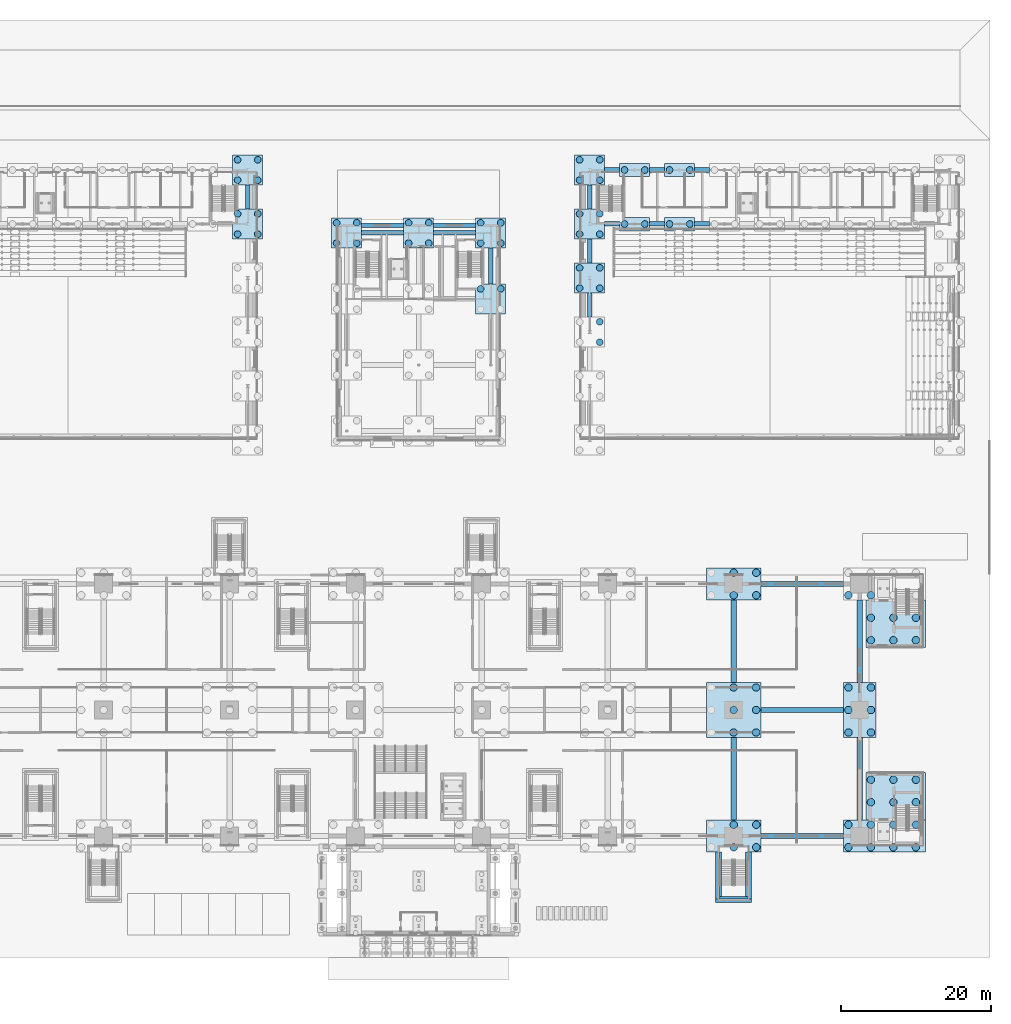
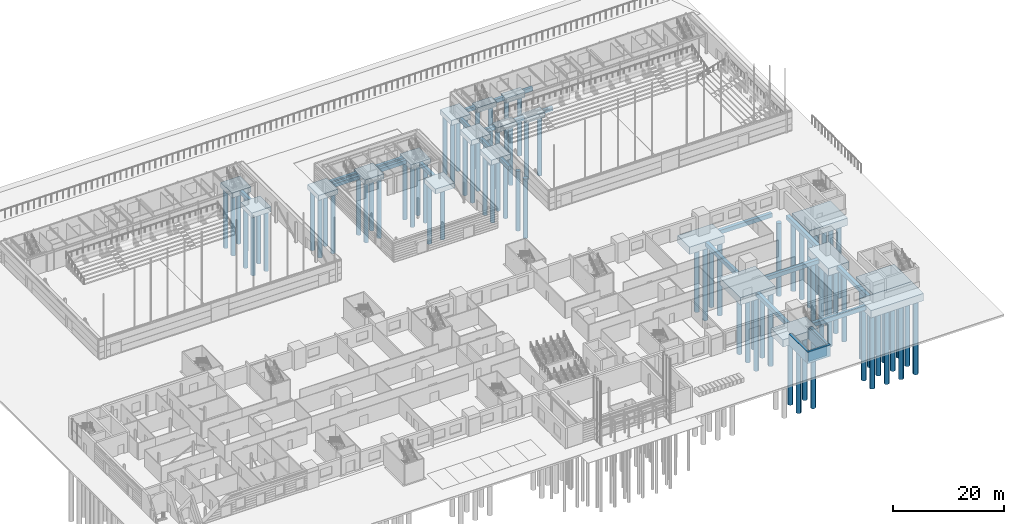
# One storey, part 6 of 139: 86 piles, 48 footings.
"""IFC4 building model written with IfcOpenShell, lengths in metres."""

from ifc_helpers import new_model, si_unit, direction, frame, origin, origin_2d, place, context, subcontext, project, spatial, polyline, rectangle, circle, outline, extrude, material, layer, layer_set, material_profile, profile_set, type_object, element, save


model = new_model("IFC4")

# Units and contexts
model_context = context("Model", 3, precision=1e-05, world=origin(), true_north=direction((0.0, 1.0)))
body_context = subcontext(model_context, "Body", "Model", "MODEL_VIEW")
ifc_project = project(units=[si_unit("LENGTHUNIT", "METRE"), si_unit("AREAUNIT", "SQUARE_METRE"), si_unit("VOLUMEUNIT", "CUBIC_METRE"), si_unit("PLANEANGLEUNIT", "RADIAN"), si_unit("MASSUNIT", "GRAM", prefix="KILO")], contexts=[model_context])

# Site, building, storey
site_placement = place(None, origin())
site = spatial("IfcSite", under=ifc_project, at=site_placement, CompositionType="ELEMENT")
building_placement = place(site_placement, origin())
building = spatial("IfcBuilding", under=site, at=building_placement, Name="Verrick Yard Athletic Hall", CompositionType="ELEMENT")
storey_placement = place(building_placement, origin())
storey = spatial("IfcBuildingStorey", under=building, at=storey_placement, Name="L00", CompositionType="ELEMENT", Elevation=0.0)

# Piles
ifc_material = material(Name="Concrete 35 MPa", Category="concrete")
ifc_material_profile_1 = material_profile(ifc_material, circle(Radius=0.449951171875, at=origin_2d()), Name="Bored pile 900")
ifc_profile_set_1 = profile_set([ifc_material_profile_1], Name="Concrete 35 MPa")
pile_type_1 = type_object("IfcPileType", Name="HB bored pile 900", PredefinedType="BORED", material=ifc_profile_set_1)
for number, where, z_axis, x_axis, name in (
    (1, (122.949951171875, 85.050048828125, -1.5), (0.0, 0.0, -1.0), (1.0, 0.0, 0.0), "HB-PC-HAW3-PL2"),
    (2, (122.949951171875, 87.75, -1.5), (0.0, 0.0, -1.0), (1.0, 0.0, 0.0), "HB-PC-HAW3-PL4"),
    (3, (120.25, 92.25, -1.5), (0.0, 0.0, -1.0), (1.0, 0.0, 0.0), "HB-PC-HAW4-PL1"),
    (4, (122.949951171875, 92.25, -1.5), (0.0, 0.0, -1.0), (1.0, 0.0, 0.0), "HB-PC-HAW4-PL2"),
    (5, (120.25, 94.949951171875, -1.5), (0.0, 0.0, -1.0), (1.0, 0.0, 0.0), "HB-PC-HAW4-PL3"),
    (6, (122.949951171875, 94.949951171875, -1.5), (0.0, 0.0, -1.0), (1.0, 0.0, 0.0), "HB-PC-HAW4-PL4"),
    (7, (120.25, 99.449951171875, -1.5), (0.0, 0.0, -1.0), (1.0, 0.0, 0.0), "HB-PC-HAW5-PL1"),
    (8, (122.949951171875, 99.449951171875, -1.5), (0.0, 0.0, -1.0), (1.0, 0.0, 0.0), "HB-PC-HAW5-PL2"),
    (9, (120.25, 102.14990234375, -1.5), (0.0, 0.0, -1.0), (1.0, 0.0, 0.0), "HB-PC-HAW5-PL3"),
    (10, (122.949951171875, 102.14990234375, -1.5), (0.0, 0.0, -1.0), (1.0, 0.0, 0.0), "HB-PC-HAW5-PL4"),
    (11, (120.25, 106.64990234375, -1.5), (0.0, 0.0, -1.0), (1.0, 0.0, 0.0), "HB-PC-HAW6-PL1"),
    (12, (122.949951171875, 106.64990234375, -1.5), (0.0, 0.0, -1.0), (1.0, 0.0, 0.0), "HB-PC-HAW6-PL2"),
    (13, (120.25, 109.35009765625, -1.5), (0.0, 0.0, -1.0), (1.0, 0.0, 0.0), "HB-PC-HAW6-PL3"),
    (14, (122.949951171875, 109.35009765625, -1.5), (0.0, 0.0, -1.0), (1.0, 0.0, 0.0), "HB-PC-HAW6-PL4"),
    (15, (126.25, 100.800048828125, -1.5), (0.0, 0.0, -1.0), (1.0, 0.0, 0.0), "HB-PC-A-B1S-PL1"),
    (16, (128.949951171875, 100.800048828125, -1.5), (0.0, 0.0, -1.0), (1.0, 0.0, 0.0), "HB-PC-A-B1S-PL2"),
    (17, (126.25, 108.0, -1.5), (0.0, 0.0, -1.0), (1.0, 0.0, 0.0), "HB-PC-A-B1N-PL1"),
    (18, (128.949951171875, 108.0, -1.5), (0.0, 0.0, -1.0), (1.0, 0.0, 0.0), "HB-PC-A-B1N-PL2"),
    (19, (132.25, 100.800048828125, -1.5), (0.0, 0.0, -1.0), (1.0, 0.0, 0.0), "HB-PC-A-B2S-PL1"),
    (20, (134.949951171875, 100.800048828125, -1.5), (0.0, 0.0, -1.0), (1.0, 0.0, 0.0), "HB-PC-A-B2S-PL2"),
    (21, (132.25, 108.0, -1.5), (0.0, 0.0, -1.0), (1.0, 0.0, 0.0), "HB-PC-A-B2N-PL1"),
    (22, (134.949951171875, 108.0, -1.5), (0.0, 0.0, -1.0), (1.0, 0.0, 0.0), "HB-PC-A-B2N-PL2"),
    (23, (74.64990234375, 99.449951171875, -1.5), (0.0, 0.0, -1.0), (1.0, 0.0, 0.0), "HB-PC-HBE5-PL1"),
    (24, (77.35009765625, 99.449951171875, -1.5), (0.0, 0.0, -1.0), (1.0, 0.0, 0.0), "HB-PC-HBE5-PL2"),
    (25, (74.64990234375, 102.14990234375, -1.5), (0.0, 0.0, -1.0), (1.0, 0.0, 0.0), "HB-PC-HBE5-PL3"),
    (26, (77.35009765625, 102.14990234375, -1.5), (0.0, 0.0, -1.0), (1.0, 0.0, 0.0), "HB-PC-HBE5-PL4"),
    (27, (74.64990234375, 106.64990234375, -1.5), (0.0, 0.0, -1.0), (1.0, 0.0, 0.0), "HB-PC-HBE6-PL1"),
    (28, (77.35009765625, 106.64990234375, -1.5), (0.0, 0.0, -1.0), (1.0, 0.0, 0.0), "HB-PC-HBE6-PL2"),
    (29, (74.64990234375, 109.35009765625, -1.5), (0.0, 0.0, -1.0), (1.0, 0.0, 0.0), "HB-PC-HBE6-PL3"),
    (30, (77.35009765625, 109.35009765625, -1.5), (0.0, 0.0, -1.0), (1.0, 0.0, 0.0), "HB-PC-HBE6-PL4"),
    (31, (87.85009765625, 98.25, -1.5), (0.0, 0.0, -1.0), (1.0, 0.0, 0.0), "HB-PC-C14-PL1"),
    (32, (90.550048828125, 98.25, -1.5), (0.0, 0.0, -1.0), (1.0, 0.0, 0.0), "HB-PC-C14-PL2"),
    (33, (87.85009765625, 100.949951171875, -1.5), (0.0, 0.0, -1.0), (1.0, 0.0, 0.0), "HB-PC-C14-PL3"),
    (34, (90.550048828125, 100.949951171875, -1.5), (0.0, 0.0, -1.0), (1.0, 0.0, 0.0), "HB-PC-C14-PL4"),
    (35, (97.449951171875, 98.25, -1.5), (0.0, 0.0, -1.0), (1.0, 0.0, 0.0), "HB-PC-C24-PL1"),
    (36, (100.14990234375, 98.25, -1.5), (0.0, 0.0, -1.0), (1.0, 0.0, 0.0), "HB-PC-C24-PL2"),
    (37, (97.449951171875, 100.949951171875, -1.5), (0.0, 0.0, -1.0), (1.0, 0.0, 0.0), "HB-PC-C24-PL3"),
    (38, (100.14990234375, 100.949951171875, -1.5), (0.0, 0.0, -1.0), (1.0, 0.0, 0.0), "HB-PC-C24-PL4"),
    (39, (107.050048828125, 92.14990234375, -1.5), (0.0, 0.0, -1.0), (1.0, 0.0, 0.0), "HB-PC-C33-PL3"),
    (40, (109.75, 92.14990234375, -1.5), (0.0, 0.0, -1.0), (1.0, 0.0, 0.0), "HB-PC-C33-PL4"),
    (41, (107.050048828125, 98.25, -1.5), (0.0, 0.0, -1.0), (1.0, 0.0, 0.0), "HB-PC-C34-PL1"),
    (42, (109.75, 98.25, -1.5), (0.0, 0.0, -1.0), (1.0, 0.0, 0.0), "HB-PC-C34-PL2"),
    (43, (107.050048828125, 100.949951171875, -1.5), (0.0, 0.0, -1.0), (1.0, 0.0, 0.0), "HB-PC-C34-PL3"),
    (44, (109.75, 100.949951171875, -1.5), (0.0, 0.0, -1.0), (1.0, 0.0, 0.0), "HB-PC-C34-PL4"),
):
    element("IfcPile", number, at=place(storey_placement, frame(where, z_axis=z_axis, x_axis=x_axis)), inside=storey, type_object=pile_type_1, Name=name, PredefinedType="BORED", context=body_context, shape_type="SweptSolid", body=[
        extrude(circle(Radius=0.449951171875, at=origin_2d()), origin(), (0.0, 0.0, 1.0), 13.10009765625),
    ])

# Footings
ifc_material_profile_2 = material_profile(ifc_material, rectangle(XDim=0.60009765625, YDim=0.800048828125, at=origin_2d()), Name="Grade beam 600x800")
ifc_profile_set_2 = profile_set([ifc_material_profile_2], Name="Concrete 35 MPa")
footing_type_1 = type_object("IfcFootingType", Name="HB grade beam 600x800", PredefinedType="FOOTING_BEAM", material=ifc_profile_set_2)
footing_1_placement = place(storey_placement, frame((121.60009765625, 88.39990234375, -0.89990234375), z_axis=(0.0, 1.0, 0.0), x_axis=(-1.0, 0.0, 0.0)))
element("IfcFooting", 45, at=footing_1_placement, inside=storey, type_object=footing_type_1, Name="HB-GB-A-WHAW3", PredefinedType="FOOTING_BEAM", context=body_context, shape_type="SweptSolid", body=[
    extrude(rectangle(XDim=0.60009765625, YDim=0.800048828125, at=origin_2d()), origin(), (0.0, 0.0, 1.0), 3.2001953125),
])
for number, where, z_axis, x_axis, name in (
    (46, (121.60009765625, 95.60009765625, -0.89990234375), (0.0, 1.0, 0.0), (-1.0, 0.0, 0.0), "HB-GB-A-WHAW4"),
    (47, (121.60009765625, 102.800048828125, -0.89990234375), (0.0, 1.0, 0.0), (-1.0, 0.0, 0.0), "HB-GB-A-WHAW5"),
):
    element("IfcFooting", number, at=place(storey_placement, frame(where, z_axis=z_axis, x_axis=x_axis)), inside=storey, type_object=footing_type_1, Name=name, PredefinedType="FOOTING_BEAM", context=body_context, shape_type="SweptSolid", body=[
        extrude(rectangle(XDim=0.60009765625, YDim=0.800048828125, at=origin_2d()), origin(), (0.0, 0.0, 1.0), 3.199951171875),
    ])
for number, where, z_axis, x_axis, name in (
    (48, (123.60009765625, 100.800048828125, -0.89990234375), (1.0, 0.0, 0.0), (0.0, 1.0, 0.0), "HB-GB-A-R1-1"),
    (49, (129.60009765625, 100.800048828125, -0.89990234375), (1.0, 0.0, 0.0), (0.0, 1.0, 0.0), "HB-GB-A-R1-2"),
    (50, (135.60009765625, 100.800048828125, -0.89990234375), (1.0, 0.0, 0.0), (0.0, 1.0, 0.0), "HB-GB-A-R1-3"),
    (51, (123.60009765625, 108.0, -0.89990234375), (1.0, 0.0, 0.0), (0.0, 1.0, 0.0), "HB-GB-A-R2-1"),
    (52, (129.60009765625, 108.0, -0.89990234375), (1.0, 0.0, 0.0), (0.0, 1.0, 0.0), "HB-GB-A-R2-2"),
    (53, (135.60009765625, 108.0, -0.89990234375), (1.0, 0.0, 0.0), (0.0, 1.0, 0.0), "HB-GB-A-R2-3"),
):
    element("IfcFooting", number, at=place(storey_placement, frame(where, z_axis=z_axis, x_axis=x_axis)), inside=storey, type_object=footing_type_1, Name=name, PredefinedType="FOOTING_BEAM", context=body_context, shape_type="SweptSolid", body=[
        extrude(rectangle(XDim=0.60009765625, YDim=0.800048828125, at=origin_2d()), origin(), (0.0, 0.0, 1.0), 2.0),
    ])
footing_2_placement = place(storey_placement, frame((76.0, 102.800048828125, -0.89990234375), z_axis=(0.0, 1.0, 0.0), x_axis=(-1.0, 0.0, 0.0)))
element("IfcFooting", 54, at=footing_2_placement, inside=storey, type_object=footing_type_1, Name="HB-GB-B-EHBE5", PredefinedType="FOOTING_BEAM", context=body_context, shape_type="SweptSolid", body=[
    extrude(rectangle(XDim=0.60009765625, YDim=0.800048828125, at=origin_2d()), origin(), (0.0, 0.0, 1.0), 3.199951171875),
])
footing_3_placement = place(storey_placement, frame((91.199951171875, 99.60009765625, -0.89990234375), z_axis=(1.0, 0.0, 0.0), x_axis=(0.0, 1.0, 0.0)))
element("IfcFooting", 55, at=footing_3_placement, inside=storey, type_object=footing_type_1, Name="HB-GB-C-X7", PredefinedType="FOOTING_BEAM", context=body_context, shape_type="SweptSolid", body=[
    extrude(rectangle(XDim=0.60009765625, YDim=0.800048828125, at=origin_2d()), origin(), (0.0, 0.0, 1.0), 5.60009765625),
])
footing_4_placement = place(storey_placement, frame((100.800048828125, 99.60009765625, -0.89990234375), z_axis=(1.0, 0.0, 0.0), x_axis=(0.0, 1.0, 0.0)))
element("IfcFooting", 56, at=footing_4_placement, inside=storey, type_object=footing_type_1, Name="HB-GB-C-X8", PredefinedType="FOOTING_BEAM", context=body_context, shape_type="SweptSolid", body=[
    extrude(rectangle(XDim=0.60009765625, YDim=0.800048828125, at=origin_2d()), origin(), (0.0, 0.0, 1.0), 5.599853515625),
])
footing_5_placement = place(storey_placement, frame((108.39990234375, 92.800048828125, -0.89990234375), z_axis=(0.0, 1.0, 0.0), x_axis=(-1.0, 0.0, 0.0)))
element("IfcFooting", 57, at=footing_5_placement, inside=storey, type_object=footing_type_1, Name="HB-GB-C-Y17", PredefinedType="FOOTING_BEAM", context=body_context, shape_type="SweptSolid", body=[
    extrude(rectangle(XDim=0.60009765625, YDim=0.800048828125, at=origin_2d()), origin(), (0.0, 0.0, 1.0), 4.800048828125),
])
footing_6_placement = place(storey_placement, frame((91.199951171875, 100.60009765625, -0.89990234375), z_axis=(1.0, 0.0, 0.0), x_axis=(0.0, 1.0, 0.0)))
element("IfcFooting", 58, at=footing_6_placement, inside=storey, type_object=footing_type_1, Name="HB-GB-C-W1", PredefinedType="FOOTING_BEAM", context=body_context, shape_type="SweptSolid", body=[
    extrude(rectangle(XDim=0.60009765625, YDim=0.800048828125, at=origin_2d()), origin(), (0.0, 0.0, 1.0), 5.60009765625),
])
footing_7_placement = place(storey_placement, frame((100.800048828125, 100.60009765625, -0.89990234375), z_axis=(1.0, 0.0, 0.0), x_axis=(0.0, 1.0, 0.0)))
element("IfcFooting", 59, at=footing_7_placement, inside=storey, type_object=footing_type_1, Name="HB-GB-C-W2", PredefinedType="FOOTING_BEAM", context=body_context, shape_type="SweptSolid", body=[
    extrude(rectangle(XDim=0.60009765625, YDim=0.800048828125, at=origin_2d()), origin(), (0.0, 0.0, 1.0), 5.599853515625),
])
ifc_layer_1 = layer(ifc_material, 1.10009765625)
ifc_layer_set_1 = layer_set([ifc_layer_1], Name="HB pile cap four piles")
footing_type_2 = type_object("IfcFootingType", Name="HB pile cap four piles", PredefinedType="PILE_CAP", material=ifc_layer_set_1)
footing_8_placement = place(storey_placement, frame((0.0, 0.0, -1.60009765625)))
element("IfcFooting", 60, at=footing_8_placement, inside=storey, type_object=footing_type_2, Name="HB-PC-HAW4", PredefinedType="PILE_CAP", context=body_context, shape_type="SweptSolid", body=[
    extrude(outline(polyline([(119.60009765625, 91.60009765625), (123.60009765625, 91.60009765625), (123.60009765625, 95.60009765625), (119.60009765625, 95.60009765625), (119.60009765625, 91.60009765625)])), origin(), (0.0, 0.0, 1.0), 1.10009765625),
])
footing_9_placement = place(storey_placement, frame((0.0, 0.0, -1.60009765625)))
element("IfcFooting", 61, at=footing_9_placement, inside=storey, type_object=footing_type_2, Name="HB-PC-HAW5", PredefinedType="PILE_CAP", context=body_context, shape_type="SweptSolid", body=[
    extrude(outline(polyline([(119.60009765625, 98.800048828125), (123.60009765625, 98.800048828125), (123.60009765625, 102.800048828125), (119.60009765625, 102.800048828125), (119.60009765625, 98.800048828125)])), origin(), (0.0, 0.0, 1.0), 1.10009765625),
])
footing_10_placement = place(storey_placement, frame((0.0, 0.0, -1.60009765625)))
element("IfcFooting", 62, at=footing_10_placement, inside=storey, type_object=footing_type_2, Name="HB-PC-HAW6", PredefinedType="PILE_CAP", context=body_context, shape_type="SweptSolid", body=[
    extrude(outline(polyline([(119.60009765625, 106.0), (123.60009765625, 106.0), (123.60009765625, 110.0), (119.60009765625, 110.0), (119.60009765625, 106.0)])), origin(), (0.0, 0.0, 1.0), 1.10009765625),
])
footing_11_placement = place(storey_placement, frame((0.0, 0.0, -1.60009765625)))
element("IfcFooting", 63, at=footing_11_placement, inside=storey, type_object=footing_type_2, Name="HB-PC-HBE5", PredefinedType="PILE_CAP", context=body_context, shape_type="SweptSolid", body=[
    extrude(outline(polyline([(74.0, 98.800048828125), (78.0, 98.800048828125), (78.0, 102.800048828125), (74.0, 102.800048828125), (74.0, 98.800048828125)])), origin(), (0.0, 0.0, 1.0), 1.10009765625),
])
footing_12_placement = place(storey_placement, frame((0.0, 0.0, -1.60009765625)))
element("IfcFooting", 64, at=footing_12_placement, inside=storey, type_object=footing_type_2, Name="HB-PC-HBE6", PredefinedType="PILE_CAP", context=body_context, shape_type="SweptSolid", body=[
    extrude(outline(polyline([(74.0, 106.0), (78.0, 106.0), (78.0, 110.0), (74.0, 110.0), (74.0, 106.0)])), origin(), (0.0, 0.0, 1.0), 1.10009765625),
])
footing_13_placement = place(storey_placement, frame((0.0, 0.0, -1.60009765625)))
element("IfcFooting", 65, at=footing_13_placement, inside=storey, type_object=footing_type_2, Name="HB-PC-C14", PredefinedType="PILE_CAP", context=body_context, shape_type="SweptSolid", body=[
    extrude(outline(polyline([(87.199951171875, 97.60009765625), (91.199951171875, 97.60009765625), (91.199951171875, 101.60009765625), (87.199951171875, 101.60009765625), (87.199951171875, 97.60009765625)])), origin(), (0.0, 0.0, 1.0), 1.10009765625),
])
footing_14_placement = place(storey_placement, frame((0.0, 0.0, -1.60009765625)))
element("IfcFooting", 66, at=footing_14_placement, inside=storey, type_object=footing_type_2, Name="HB-PC-C24", PredefinedType="PILE_CAP", context=body_context, shape_type="SweptSolid", body=[
    extrude(outline(polyline([(96.800048828125, 97.60009765625), (100.800048828125, 97.60009765625), (100.800048828125, 101.60009765625), (96.800048828125, 101.60009765625), (96.800048828125, 97.60009765625)])), origin(), (0.0, 0.0, 1.0), 1.10009765625),
])
footing_15_placement = place(storey_placement, frame((0.0, 0.0, -1.60009765625)))
element("IfcFooting", 67, at=footing_15_placement, inside=storey, type_object=footing_type_2, Name="HB-PC-C33", PredefinedType="PILE_CAP", context=body_context, shape_type="SweptSolid", body=[
    extrude(outline(polyline([(106.39990234375, 88.800048828125), (110.39990234375, 88.800048828125), (110.39990234375, 92.800048828125), (106.39990234375, 92.800048828125), (106.39990234375, 88.800048828125)])), origin(), (0.0, 0.0, 1.0), 1.10009765625),
])
footing_16_placement = place(storey_placement, frame((0.0, 0.0, -1.60009765625)))
element("IfcFooting", 68, at=footing_16_placement, inside=storey, type_object=footing_type_2, Name="HB-PC-C34", PredefinedType="PILE_CAP", context=body_context, shape_type="SweptSolid", body=[
    extrude(outline(polyline([(106.39990234375, 97.60009765625), (110.39990234375, 97.60009765625), (110.39990234375, 101.60009765625), (106.39990234375, 101.60009765625), (106.39990234375, 97.60009765625)])), origin(), (0.0, 0.0, 1.0), 1.10009765625),
])
ifc_layer_2 = layer(ifc_material, 1.10009765625)
ifc_layer_set_2 = layer_set([ifc_layer_2], Name="HB pile cap two piles")
footing_type_3 = type_object("IfcFootingType", Name="HB pile cap two piles", PredefinedType="PILE_CAP", material=ifc_layer_set_2)
footing_17_placement = place(storey_placement, frame((0.0, 0.0, -1.60009765625)))
element("IfcFooting", 69, at=footing_17_placement, inside=storey, type_object=footing_type_3, Name="HB-PC-A-B1S", PredefinedType="PILE_CAP", context=body_context, shape_type="SweptSolid", body=[
    extrude(outline(polyline([(125.60009765625, 99.89990234375), (129.60009765625, 99.89990234375), (129.60009765625, 101.699951171875), (125.60009765625, 101.699951171875), (125.60009765625, 99.89990234375)])), origin(), (0.0, 0.0, 1.0), 1.10009765625),
])
footing_18_placement = place(storey_placement, frame((0.0, 0.0, -1.60009765625)))
element("IfcFooting", 70, at=footing_18_placement, inside=storey, type_object=footing_type_3, Name="HB-PC-A-B1N", PredefinedType="PILE_CAP", context=body_context, shape_type="SweptSolid", body=[
    extrude(outline(polyline([(125.60009765625, 107.10009765625), (129.60009765625, 107.10009765625), (129.60009765625, 108.89990234375), (125.60009765625, 108.89990234375), (125.60009765625, 107.10009765625)])), origin(), (0.0, 0.0, 1.0), 1.10009765625),
])
footing_19_placement = place(storey_placement, frame((0.0, 0.0, -1.60009765625)))
element("IfcFooting", 71, at=footing_19_placement, inside=storey, type_object=footing_type_3, Name="HB-PC-A-B2S", PredefinedType="PILE_CAP", context=body_context, shape_type="SweptSolid", body=[
    extrude(outline(polyline([(131.60009765625, 99.89990234375), (135.60009765625, 99.89990234375), (135.60009765625, 101.699951171875), (131.60009765625, 101.699951171875), (131.60009765625, 99.89990234375)])), origin(), (0.0, 0.0, 1.0), 1.10009765625),
])
footing_20_placement = place(storey_placement, frame((0.0, 0.0, -1.60009765625)))
element("IfcFooting", 72, at=footing_20_placement, inside=storey, type_object=footing_type_3, Name="HB-PC-A-B2N", PredefinedType="PILE_CAP", context=body_context, shape_type="SweptSolid", body=[
    extrude(outline(polyline([(131.60009765625, 107.10009765625), (135.60009765625, 107.10009765625), (135.60009765625, 108.89990234375), (131.60009765625, 108.89990234375), (131.60009765625, 107.10009765625)])), origin(), (0.0, 0.0, 1.0), 1.10009765625),
])

# Piles
pile_type_2 = type_object("IfcPileType", Name="STR Bored pile 1000", PredefinedType="BORED", material=ifc_material)
for number, where, z_axis, x_axis, name in (
    (73, (140.800048828125, 17.699951171875, -2.39990234375), (0.0, 0.0, -1.0), (1.0, 0.0, 0.0), "STR-PC-P7A-PL2"),
    (74, (143.800048828125, 17.699951171875, -2.39990234375), (0.0, 0.0, -1.0), (1.0, 0.0, 0.0), "STR-PC-P7A-PL3"),
    (75, (140.800048828125, 20.699951171875, -2.39990234375), (0.0, 0.0, -1.0), (1.0, 0.0, 0.0), "STR-PC-P7A-PL5"),
    (76, (143.800048828125, 20.699951171875, -2.39990234375), (0.0, 0.0, -1.0), (1.0, 0.0, 0.0), "STR-PC-P7A-PL6"),
    (77, (140.800048828125, 33.0, -2.39990234375), (0.0, 0.0, -1.0), (1.0, 0.0, 0.0), "STR-PC-P7B-PL2"),
    (78, (143.800048828125, 33.0, -2.39990234375), (0.0, 0.0, -1.0), (1.0, 0.0, 0.0), "STR-PC-P7B-PL3"),
    (79, (140.800048828125, 36.0, -2.39990234375), (0.0, 0.0, -1.0), (1.0, 0.0, 0.0), "STR-PC-P7B-PL5"),
    (80, (143.800048828125, 36.0, -2.39990234375), (0.0, 0.0, -1.0), (1.0, 0.0, 0.0), "STR-PC-P7B-PL6"),
    (81, (140.800048828125, 39.0, -2.39990234375), (0.0, 0.0, -1.0), (1.0, 0.0, 0.0), "STR-PC-P7B-PL8"),
    (82, (143.800048828125, 39.0, -2.39990234375), (0.0, 0.0, -1.0), (1.0, 0.0, 0.0), "STR-PC-P7B-PL9"),
    (83, (140.800048828125, 51.300048828125, -2.39990234375), (0.0, 0.0, -1.0), (1.0, 0.0, 0.0), "STR-PC-P7C-PL2"),
    (84, (143.800048828125, 51.300048828125, -2.39990234375), (0.0, 0.0, -1.0), (1.0, 0.0, 0.0), "STR-PC-P7C-PL3"),
    (85, (140.800048828125, 54.300048828125, -2.39990234375), (0.0, 0.0, -1.0), (1.0, 0.0, 0.0), "STR-PC-P7C-PL5"),
    (86, (143.800048828125, 54.300048828125, -2.39990234375), (0.0, 0.0, -1.0), (1.0, 0.0, 0.0), "STR-PC-P7C-PL6"),
    (87, (156.10009765625, 33.0, -2.39990234375), (0.0, 0.0, -1.0), (1.0, 0.0, 0.0), "STR-PC-P8B-PL1"),
    (88, (159.10009765625, 33.0, -2.39990234375), (0.0, 0.0, -1.0), (1.0, 0.0, 0.0), "STR-PC-P8B-PL2"),
    (89, (156.10009765625, 36.0, -2.39990234375), (0.0, 0.0, -1.0), (1.0, 0.0, 0.0), "STR-PC-P8B-PL3"),
    (90, (159.10009765625, 36.0, -2.39990234375), (0.0, 0.0, -1.0), (1.0, 0.0, 0.0), "STR-PC-P8B-PL4"),
    (91, (156.10009765625, 39.0, -2.39990234375), (0.0, 0.0, -1.0), (1.0, 0.0, 0.0), "STR-PC-P8B-PL5"),
    (92, (159.10009765625, 39.0, -2.39990234375), (0.0, 0.0, -1.0), (1.0, 0.0, 0.0), "STR-PC-P8B-PL6"),
    (93, (156.10009765625, 17.699951171875, -2.39990234375), (0.0, 0.0, -1.0), (1.0, 0.0, 0.0), "STR-PC-P8A-CB3-PL1"),
    (94, (156.10009765625, 20.699951171875, -2.39990234375), (0.0, 0.0, -1.0), (1.0, 0.0, 0.0), "STR-PC-P8A-CB3-PL2"),
    (95, (159.10009765625, 17.699951171875, -2.39990234375), (0.0, 0.0, -1.0), (1.0, 0.0, 0.0), "STR-PC-P8A-CB3-PL3"),
    (96, (162.10009765625, 17.699951171875, -2.39990234375), (0.0, 0.0, -1.0), (1.0, 0.0, 0.0), "STR-PC-P8A-CB3-PL4"),
    (97, (165.10009765625, 17.699951171875, -2.39990234375), (0.0, 0.0, -1.0), (1.0, 0.0, 0.0), "STR-PC-P8A-CB3-PL5"),
    (98, (159.10009765625, 20.699951171875, -2.39990234375), (0.0, 0.0, -1.0), (1.0, 0.0, 0.0), "STR-PC-P8A-CB3-PL6"),
    (99, (162.10009765625, 20.699951171875, -2.39990234375), (0.0, 0.0, -1.0), (1.0, 0.0, 0.0), "STR-PC-P8A-CB3-PL7"),
    (100, (165.10009765625, 20.699951171875, -2.39990234375), (0.0, 0.0, -1.0), (1.0, 0.0, 0.0), "STR-PC-P8A-CB3-PL8"),
    (101, (159.10009765625, 23.699951171875, -2.39990234375), (0.0, 0.0, -1.0), (1.0, 0.0, 0.0), "STR-PC-P8A-CB3-PL9"),
    (102, (162.10009765625, 23.699951171875, -2.39990234375), (0.0, 0.0, -1.0), (1.0, 0.0, 0.0), "STR-PC-P8A-CB3-PL10"),
    (103, (165.10009765625, 23.699951171875, -2.39990234375), (0.0, 0.0, -1.0), (1.0, 0.0, 0.0), "STR-PC-P8A-CB3-PL11"),
    (104, (159.10009765625, 26.699951171875, -2.39990234375), (0.0, 0.0, -1.0), (1.0, 0.0, 0.0), "STR-PC-P8A-CB3-PL12"),
    (105, (162.10009765625, 26.699951171875, -2.39990234375), (0.0, 0.0, -1.0), (1.0, 0.0, 0.0), "STR-PC-P8A-CB3-PL13"),
    (106, (165.10009765625, 26.699951171875, -2.39990234375), (0.0, 0.0, -1.0), (1.0, 0.0, 0.0), "STR-PC-P8A-CB3-PL14"),
    (107, (156.10009765625, 51.300048828125, -2.39990234375), (0.0, 0.0, -1.0), (1.0, 0.0, 0.0), "STR-PC-P8C-CB4-PL2"),
    (108, (159.10009765625, 51.300048828125, -2.39990234375), (0.0, 0.0, -1.0), (1.0, 0.0, 0.0), "STR-PC-P8C-CB4-PL6"),
    (109, (159.10009765625, 48.300048828125, -2.39990234375), (0.0, 0.0, -1.0), (1.0, 0.0, 0.0), "STR-PC-P8C-CB4-PL9"),
    (110, (162.10009765625, 48.300048828125, -2.39990234375), (0.0, 0.0, -1.0), (1.0, 0.0, 0.0), "STR-PC-P8C-CB4-PL10"),
    (111, (165.10009765625, 48.300048828125, -2.39990234375), (0.0, 0.0, -1.0), (1.0, 0.0, 0.0), "STR-PC-P8C-CB4-PL11"),
    (112, (159.10009765625, 45.300048828125, -2.39990234375), (0.0, 0.0, -1.0), (1.0, 0.0, 0.0), "STR-PC-P8C-CB4-PL12"),
    (113, (162.10009765625, 45.300048828125, -2.39990234375), (0.0, 0.0, -1.0), (1.0, 0.0, 0.0), "STR-PC-P8C-CB4-PL13"),
    (114, (165.10009765625, 45.300048828125, -2.39990234375), (0.0, 0.0, -1.0), (1.0, 0.0, 0.0), "STR-PC-P8C-CB4-PL14"),
):
    element("IfcPile", number, at=place(storey_placement, frame(where, z_axis=z_axis, x_axis=x_axis)), inside=storey, type_object=pile_type_2, Name=name, PredefinedType="BORED", context=body_context, shape_type="SweptSolid", body=[
        extrude(circle(Radius=0.5, at=origin_2d()), origin(), (0.0, 0.0, 1.0), 16.0),
    ])

# Footings
ifc_material_profile_3 = material_profile(ifc_material, rectangle(XDim=0.699951171875, YDim=0.89990234375, at=origin_2d()), Name="STR Grade beam F1")
ifc_profile_set_3 = profile_set([ifc_material_profile_3], Name="Concrete 35 MPa")
footing_type_4 = type_object("IfcFootingType", Name="STR Grade beam F1", PredefinedType="FOOTING_BEAM", material=ifc_profile_set_3)
for number, where, z_axis, x_axis, name in (
    (115, (144.449951171875, 19.199951171875, -1.35009765625), (1.0, 0.0, 0.0), (0.0, 1.0, 0.0), "STR-GB-XP7A"),
    (116, (144.449951171875, 36.0, -1.35009765625), (1.0, 0.0, 0.0), (0.0, 1.0, 0.0), "STR-GB-XP7B"),
    (117, (144.449951171875, 52.800048828125, -1.35009765625), (1.0, 0.0, 0.0), (0.0, 1.0, 0.0), "STR-GB-XP7C"),
    (118, (140.800048828125, 21.35009765625, -1.35009765625), (0.0, 1.0, 0.0), (-1.0, 0.0, 0.0), "STR-GB-YP7A"),
    (119, (140.800048828125, 39.64990234375, -1.35009765625), (0.0, 1.0, 0.0), (-1.0, 0.0, 0.0), "STR-GB-YP7B"),
    (120, (157.60009765625, 21.35009765625, -1.35009765625), (0.0, 1.0, 0.0), (-1.0, 0.0, 0.0), "STR-GB-YP8A"),
    (121, (157.60009765625, 39.64990234375, -1.35009765625), (0.0, 1.0, 0.0), (-1.0, 0.0, 0.0), "STR-GB-YP8B"),
):
    element("IfcFooting", number, at=place(storey_placement, frame(where, z_axis=z_axis, x_axis=x_axis)), inside=storey, type_object=footing_type_4, Name=name, PredefinedType="FOOTING_BEAM", context=body_context, shape_type="SweptSolid", body=[
        extrude(rectangle(XDim=0.699951171875, YDim=0.89990234375, at=origin_2d()), origin(), (0.0, 0.0, 1.0), 11.0),
    ])
ifc_layer_3 = layer(ifc_material, 1.60009765625)
ifc_layer_set_3 = layer_set([ifc_layer_3], Name="STR Pile cap edge PC2")
footing_type_5 = type_object("IfcFootingType", Name="STR Pile cap edge PC2", PredefinedType="PILE_CAP", material=ifc_layer_set_3)
footing_21_placement = place(storey_placement, frame((0.0, 0.0, -2.5)))
element("IfcFooting", 122, at=footing_21_placement, inside=storey, type_object=footing_type_5, Name="STR-PC-P7A", PredefinedType="PILE_CAP", context=body_context, shape_type="SweptSolid", body=[
    extrude(outline(polyline([(137.14990234375, 17.050048828125), (144.449951171875, 17.050048828125), (144.449951171875, 21.35009765625), (137.14990234375, 21.35009765625), (137.14990234375, 17.050048828125)])), origin(), (0.0, 0.0, 1.0), 1.60009765625),
])
footing_22_placement = place(storey_placement, frame((0.0, 0.0, -2.5)))
element("IfcFooting", 123, at=footing_22_placement, inside=storey, type_object=footing_type_5, Name="STR-PC-P7C", PredefinedType="PILE_CAP", context=body_context, shape_type="SweptSolid", body=[
    extrude(outline(polyline([(137.14990234375, 50.64990234375), (144.449951171875, 50.64990234375), (144.449951171875, 54.949951171875), (137.14990234375, 54.949951171875), (137.14990234375, 50.64990234375)])), origin(), (0.0, 0.0, 1.0), 1.60009765625),
])
ifc_layer_4 = layer(ifc_material, 1.60009765625)
ifc_layer_set_4 = layer_set([ifc_layer_4], Name="STR Pile cap edge turned PC10")
footing_type_6 = type_object("IfcFootingType", Name="STR Pile cap edge turned PC10", PredefinedType="PILE_CAP", material=ifc_layer_set_4)
footing_23_placement = place(storey_placement, frame((0.0, 0.0, -2.5)))
element("IfcFooting", 124, at=footing_23_placement, inside=storey, type_object=footing_type_6, Name="STR-PC-P8B", PredefinedType="PILE_CAP", context=body_context, shape_type="SweptSolid", body=[
    extrude(outline(polyline([(155.449951171875, 32.35009765625), (159.75, 32.35009765625), (159.75, 39.64990234375), (155.449951171875, 39.64990234375), (155.449951171875, 32.35009765625)])), origin(), (0.0, 0.0, 1.0), 1.60009765625),
])
ifc_layer_5 = layer(ifc_material, 1.60009765625)
ifc_layer_set_5 = layer_set([ifc_layer_5], Name="STR Pile cap interior PC1")
footing_type_7 = type_object("IfcFootingType", Name="STR Pile cap interior PC1", PredefinedType="PILE_CAP", material=ifc_layer_set_5)
footing_24_placement = place(storey_placement, frame((0.0, 0.0, -2.5)))
element("IfcFooting", 125, at=footing_24_placement, inside=storey, type_object=footing_type_7, Name="STR-PC-P7B", PredefinedType="PILE_CAP", context=body_context, shape_type="SweptSolid", body=[
    extrude(outline(polyline([(137.14990234375, 32.35009765625), (144.449951171875, 32.35009765625), (144.449951171875, 39.64990234375), (137.14990234375, 39.64990234375), (137.14990234375, 32.35009765625)])), origin(), (0.0, 0.0, 1.0), 1.60009765625),
])
ifc_layer_6 = layer(ifc_material, 1.60009765625)
ifc_layer_set_6 = layer_set([ifc_layer_6], Name="STR Pile cap raft block PC12")
footing_type_8 = type_object("IfcFootingType", Name="STR Pile cap raft block PC12", PredefinedType="PILE_CAP", material=ifc_layer_set_6)
footing_25_placement = place(storey_placement, frame((0.0, 0.0, -2.5)))
element("IfcFooting", 126, at=footing_25_placement, inside=storey, type_object=footing_type_8, Name="STR-PC-P8A-CB3-R2", PredefinedType="PILE_CAP", context=body_context, shape_type="SweptSolid", body=[
    extrude(outline(polyline([(158.449951171875, 21.35009765625), (166.39990234375, 21.35009765625), (166.39990234375, 27.64990234375), (158.449951171875, 27.64990234375), (158.449951171875, 21.35009765625)])), origin(), (0.0, 0.0, 1.0), 1.60009765625),
])
footing_26_placement = place(storey_placement, frame((0.0, 0.0, -2.5)))
element("IfcFooting", 127, at=footing_26_placement, inside=storey, type_object=footing_type_8, Name="STR-PC-P8C-CB4", PredefinedType="PILE_CAP", context=body_context, shape_type="SweptSolid", body=[
    extrude(outline(polyline([(158.449951171875, 44.35009765625), (166.39990234375, 44.35009765625), (166.39990234375, 50.64990234375), (158.449951171875, 50.64990234375), (158.449951171875, 44.35009765625)])), origin(), (0.0, 0.0, 1.0), 1.60009765625),
])
ifc_layer_7 = layer(ifc_material, 1.60009765625)
ifc_layer_set_7 = layer_set([ifc_layer_7], Name="STR Pile cap raft long strip PC11")
footing_type_9 = type_object("IfcFootingType", Name="STR Pile cap raft long strip PC11", PredefinedType="PILE_CAP", material=ifc_layer_set_7)
footing_27_placement = place(storey_placement, frame((0.0, 0.0, -2.5)))
element("IfcFooting", 128, at=footing_27_placement, inside=storey, type_object=footing_type_9, Name="STR-PC-P8A-CB3", PredefinedType="PILE_CAP", context=body_context, shape_type="SweptSolid", body=[
    extrude(outline(polyline([(155.449951171875, 17.050048828125), (166.39990234375, 17.050048828125), (166.39990234375, 21.35009765625), (155.449951171875, 21.35009765625), (155.449951171875, 17.050048828125)])), origin(), (0.0, 0.0, 1.0), 1.60009765625),
])
ifc_material_profile_4 = material_profile(ifc_material, rectangle(XDim=0.5, YDim=2.5, at=origin_2d()), Name="STR Wall strip footing F2")
ifc_profile_set_4 = profile_set([ifc_material_profile_4], Name="Concrete 35 MPa")
footing_type_10 = type_object("IfcFootingType", Name="STR Wall strip footing F2", PredefinedType="STRIP_FOOTING", material=ifc_profile_set_4)
footing_28_placement = place(storey_placement, frame((0.0, 0.0, -2.5)))
element("IfcFooting", 129, at=footing_28_placement, inside=storey, type_object=footing_type_10, Name="STR-WF-DT-S2-1", PredefinedType="STRIP_FOOTING", context=body_context, shape_type="SweptSolid", body=[
    extrude(outline(polyline([(138.39990234375, 10.300048828125), (143.199951171875, 10.300048828125), (143.199951171875, 10.800048828125), (138.39990234375, 10.800048828125), (138.39990234375, 10.300048828125)])), origin(), (0.0, 0.0, 1.0), 2.5),
])
footing_29_placement = place(storey_placement, frame((0.0, 0.0, -2.5)))
element("IfcFooting", 130, at=footing_29_placement, inside=storey, type_object=footing_type_10, Name="STR-WF-DT-S2-2", PredefinedType="STRIP_FOOTING", context=body_context, shape_type="SweptSolid", body=[
    extrude(outline(polyline([(138.39990234375, 10.800048828125), (138.89990234375, 10.800048828125), (138.89990234375, 17.050048828125), (138.39990234375, 17.050048828125), (138.39990234375, 10.800048828125)])), origin(), (0.0, 0.0, 1.0), 2.5),
])
footing_30_placement = place(storey_placement, frame((0.0, 0.0, -2.5)))
element("IfcFooting", 131, at=footing_30_placement, inside=storey, type_object=footing_type_10, Name="STR-WF-DT-S2-3", PredefinedType="STRIP_FOOTING", context=body_context, shape_type="SweptSolid", body=[
    extrude(outline(polyline([(142.699951171875, 10.800048828125), (143.199951171875, 10.800048828125), (143.199951171875, 17.050048828125), (142.699951171875, 17.050048828125), (142.699951171875, 10.800048828125)])), origin(), (0.0, 0.0, 1.0), 2.5),
])
ifc_material_profile_5 = material_profile(ifc_material, rectangle(XDim=0.300048828125, YDim=2.300048828125, at=origin_2d()), Name="STR Wall strip footing F3")
ifc_profile_set_5 = profile_set([ifc_material_profile_5], Name="Concrete 35 MPa")
footing_type_11 = type_object("IfcFootingType", Name="STR Wall strip footing F3", PredefinedType="STRIP_FOOTING", material=ifc_profile_set_5)
footing_31_placement = place(storey_placement, frame((0.0, 0.0, -2.5)))
element("IfcFooting", 132, at=footing_31_placement, inside=storey, type_object=footing_type_11, Name="STR-WF-DT-S2-IN-1", PredefinedType="STRIP_FOOTING", context=body_context, shape_type="SweptSolid", body=[
    extrude(outline(polyline([(138.89990234375, 10.800048828125), (142.699951171875, 10.800048828125), (142.699951171875, 11.10009765625), (138.89990234375, 11.10009765625), (138.89990234375, 10.800048828125)])), origin(), (0.0, 0.0, 1.0), 2.300048828125),
])
footing_32_placement = place(storey_placement, frame((0.0, 0.0, -2.5)))
element("IfcFooting", 133, at=footing_32_placement, inside=storey, type_object=footing_type_11, Name="STR-WF-DT-S2-IN-2", PredefinedType="STRIP_FOOTING", context=body_context, shape_type="SweptSolid", body=[
    extrude(outline(polyline([(138.89990234375, 11.10009765625), (139.199951171875, 11.10009765625), (139.199951171875, 17.050048828125), (138.89990234375, 17.050048828125), (138.89990234375, 11.10009765625)])), origin(), (0.0, 0.0, 1.0), 2.300048828125),
])
footing_33_placement = place(storey_placement, frame((0.0, 0.0, -2.5)))
element("IfcFooting", 134, at=footing_33_placement, inside=storey, type_object=footing_type_11, Name="STR-WF-DT-S2-IN-3", PredefinedType="STRIP_FOOTING", context=body_context, shape_type="SweptSolid", body=[
    extrude(outline(polyline([(142.39990234375, 11.10009765625), (142.699951171875, 11.10009765625), (142.699951171875, 17.050048828125), (142.39990234375, 17.050048828125), (142.39990234375, 11.10009765625)])), origin(), (0.0, 0.0, 1.0), 2.300048828125),
])

save(model, "model.ifc")
